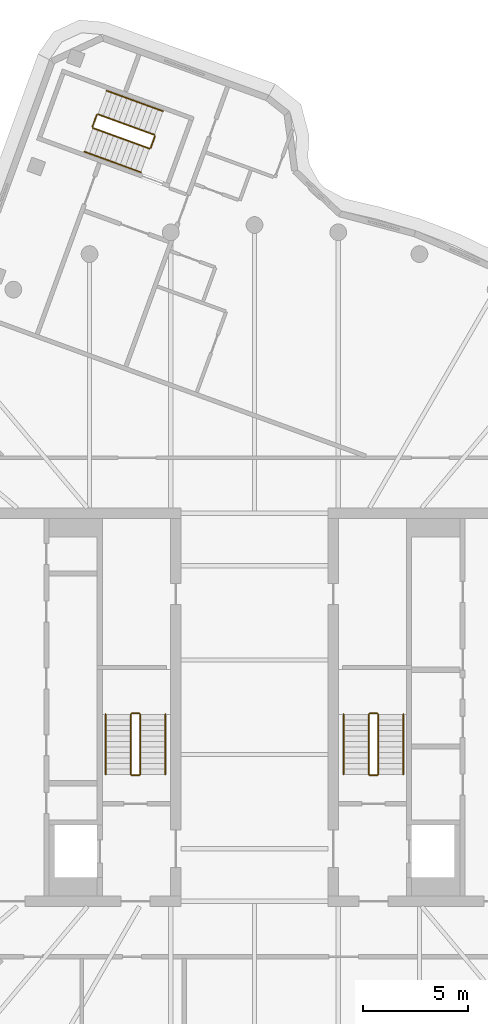
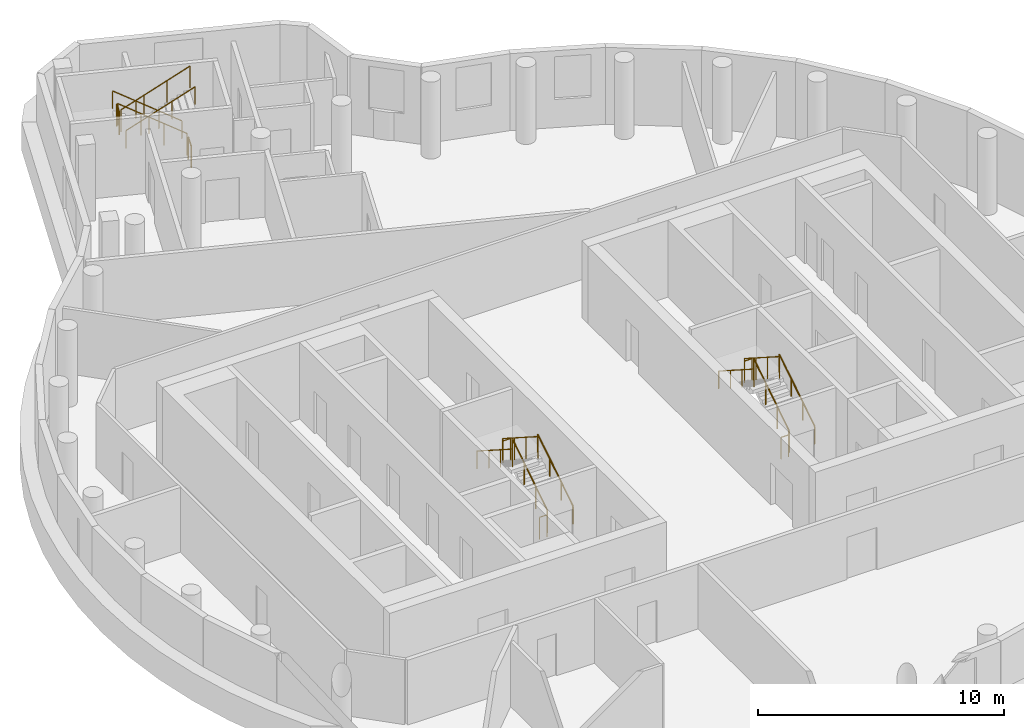
# One storey, part 7 of 7: 18 railings.
"""IFC4 building model written with IfcOpenShell, lengths in metres."""

from ifc_helpers import new_model, si_unit, direction, frame, origin, origin_2d, place, context, subcontext, project, spatial, circle, extrude, material, type_object, element, save


model = new_model("IFC4")

# Units and contexts
model_context = context("Model", 3, precision=1e-05, world=origin(), true_north=direction((0.0, 1.0)))
body_context = subcontext(model_context, "Body", "Model", "MODEL_VIEW")
ifc_project = project(units=[si_unit("LENGTHUNIT", "METRE"), si_unit("AREAUNIT", "SQUARE_METRE"), si_unit("VOLUMEUNIT", "CUBIC_METRE"), si_unit("PLANEANGLEUNIT", "RADIAN"), si_unit("MASSUNIT", "GRAM", prefix="KILO")], contexts=[model_context])

# Site, building, storey
site_placement = place(None, origin())
site = spatial("IfcSite", under=ifc_project, at=site_placement, CompositionType="ELEMENT")
building_placement = place(site_placement, origin())
building = spatial("IfcBuilding", under=site, at=building_placement, Name="Tamarind Cross Interchange Tower", CompositionType="ELEMENT")
storey_placement = place(building_placement, frame((0.0, 0.0, 321.39990234375)))
storey = spatial("IfcBuildingStorey", under=building, at=storey_placement, Name="L79", CompositionType="ELEMENT", Elevation=321.39990234375)

# Railings
ifc_material_1 = material(Name="Stair guard")
railing_type_1 = type_object("IfcRailingType", Name="Stair guard", PredefinedType="GUARDRAIL", material=ifc_material_1)
railing_1_placement = place(storey_placement, frame((-5.449951171875, -3.199951171875, 0.166748046875)))
element("IfcRailing", 1, at=railing_1_placement, inside=storey, type_object=railing_type_1, Name="L79 ST1 stair guard 1", PredefinedType="GUARDRAIL", context=body_context, shape_type="SweptSolid", body=[
    extrude(circle(Radius=0.02392578125, at=origin_2d()), frame((0.0, 0.0, 1.076171875), z_axis=(0.0, 0.841878301714, 0.539667420827), x_axis=(-1.0, 0.0, 0.0)), (0.0, 0.0, 1.0), 3.39697265625),
    extrude(circle(Radius=0.02099609375, at=origin_2d()), origin(), (0.0, 0.0, 1.0), 1.052001953125),
    extrude(circle(Radius=0.02099609375, at=origin_2d()), frame((0.0, 0.953369140625, 0.611083984375)), (0.0, 0.0, 1.0), 1.052001953125),
    extrude(circle(Radius=0.02099609375, at=origin_2d()), frame((0.0, 1.906494140625, 1.22216796875)), (0.0, 0.0, 1.0), 1.052001953125),
    extrude(circle(Radius=0.02099609375, at=origin_2d()), frame((0.0, 2.85986328125, 1.833251953125)), (0.0, 0.0, 1.0), 1.052001953125),
])
railing_2_placement = place(storey_placement, frame((-5.5, -0.2900390625, 2.0)))
element("IfcRailing", 2, at=railing_2_placement, inside=storey, type_object=railing_type_1, Name="L79 ST1 stair guard 2", PredefinedType="GUARDRAIL", context=body_context, shape_type="SweptSolid", body=[
    extrude(circle(Radius=0.02392578125, at=origin_2d()), frame((0.0, 0.0, 1.076171875), z_axis=(-1.0, 0.0, 0.0), x_axis=(0.0, -1.0, 0.0)), (0.0, 0.0, 1.0), 0.35009765625),
    extrude(circle(Radius=0.02099609375, at=origin_2d()), origin(), (0.0, 0.0, 1.0), 1.052001953125),
    extrude(circle(Radius=0.02099609375, at=origin_2d()), frame((-0.35009765625, 0.0, 0.0)), (0.0, 0.0, 1.0), 1.052001953125),
])
railing_3_placement = place(storey_placement, frame((-5.89990234375, -0.340087890625, 2.166748046875)))
element("IfcRailing", 3, at=railing_3_placement, inside=storey, type_object=railing_type_1, Name="L79 ST1 stair guard 3", PredefinedType="GUARDRAIL", context=body_context, shape_type="SweptSolid", body=[
    extrude(circle(Radius=0.02392578125, at=origin_2d()), frame((0.0, 0.0, 1.076171875), z_axis=(0.0, -0.841878301714, 0.539667420827), x_axis=(1.0, 0.0, 0.0)), (0.0, 0.0, 1.0), 3.39697265625),
    extrude(circle(Radius=0.02099609375, at=origin_2d()), origin(), (0.0, 0.0, 1.0), 1.052001953125),
    extrude(circle(Radius=0.02099609375, at=origin_2d()), frame((0.0, -0.953369140625, 0.611083984375)), (0.0, 0.0, 1.0), 1.052001953125),
    extrude(circle(Radius=0.02099609375, at=origin_2d()), frame((0.0, -1.906494140625, 1.22216796875)), (0.0, 0.0, 1.0), 1.052001953125),
    extrude(circle(Radius=0.02099609375, at=origin_2d()), frame((0.0, -2.85986328125, 1.833251953125)), (0.0, 0.0, 1.0), 1.052001953125),
])
railing_4_placement = place(storey_placement, frame((-5.5, -3.25, 0.0)))
element("IfcRailing", 4, at=railing_4_placement, inside=storey, type_object=railing_type_1, Name="L79 ST1 stair guard 4", PredefinedType="GUARDRAIL", context=body_context, shape_type="SweptSolid", body=[
    extrude(circle(Radius=0.02392578125, at=origin_2d()), frame((0.0, 0.0, 1.076171875), z_axis=(-1.0, 0.0, 0.0), x_axis=(0.0, -1.0, 0.0)), (0.0, 0.0, 1.0), 0.35009765625),
    extrude(circle(Radius=0.02099609375, at=origin_2d()), origin(), (0.0, 0.0, 1.0), 1.052001953125),
    extrude(circle(Radius=0.02099609375, at=origin_2d()), frame((-0.35009765625, 0.0, 0.0)), (0.0, 0.0, 1.0), 1.052001953125),
])
railing_5_placement = place(storey_placement, frame((5.89990234375, -3.199951171875, 0.166748046875)))
element("IfcRailing", 5, at=railing_5_placement, inside=storey, type_object=railing_type_1, Name="L79 ST2 stair guard 1", PredefinedType="GUARDRAIL", context=body_context, shape_type="SweptSolid", body=[
    extrude(circle(Radius=0.02392578125, at=origin_2d()), frame((0.0, 0.0, 1.076171875), z_axis=(0.0, 0.841878301714, 0.539667420827), x_axis=(-1.0, 0.0, 0.0)), (0.0, 0.0, 1.0), 3.39697265625),
    extrude(circle(Radius=0.02099609375, at=origin_2d()), origin(), (0.0, 0.0, 1.0), 1.052001953125),
    extrude(circle(Radius=0.02099609375, at=origin_2d()), frame((0.0, 0.953369140625, 0.611083984375)), (0.0, 0.0, 1.0), 1.052001953125),
    extrude(circle(Radius=0.02099609375, at=origin_2d()), frame((0.0, 1.906494140625, 1.22216796875)), (0.0, 0.0, 1.0), 1.052001953125),
    extrude(circle(Radius=0.02099609375, at=origin_2d()), frame((0.0, 2.85986328125, 1.833251953125)), (0.0, 0.0, 1.0), 1.052001953125),
])
railing_6_placement = place(storey_placement, frame((5.85009765625, -0.2900390625, 2.0)))
element("IfcRailing", 6, at=railing_6_placement, inside=storey, type_object=railing_type_1, Name="L79 ST2 stair guard 2", PredefinedType="GUARDRAIL", context=body_context, shape_type="SweptSolid", body=[
    extrude(circle(Radius=0.02392578125, at=origin_2d()), frame((0.0, 0.0, 1.076171875), z_axis=(-1.0, 0.0, 0.0), x_axis=(0.0, -1.0, 0.0)), (0.0, 0.0, 1.0), 0.35009765625),
    extrude(circle(Radius=0.02099609375, at=origin_2d()), origin(), (0.0, 0.0, 1.0), 1.052001953125),
    extrude(circle(Radius=0.02099609375, at=origin_2d()), frame((-0.35009765625, 0.0, 0.0)), (0.0, 0.0, 1.0), 1.052001953125),
])
railing_7_placement = place(storey_placement, frame((5.449951171875, -0.340087890625, 2.166748046875)))
element("IfcRailing", 7, at=railing_7_placement, inside=storey, type_object=railing_type_1, Name="L79 ST2 stair guard 3", PredefinedType="GUARDRAIL", context=body_context, shape_type="SweptSolid", body=[
    extrude(circle(Radius=0.02392578125, at=origin_2d()), frame((0.0, 0.0, 1.076171875), z_axis=(0.0, -0.841878301714, 0.539667420827), x_axis=(1.0, 0.0, 0.0)), (0.0, 0.0, 1.0), 3.39697265625),
    extrude(circle(Radius=0.02099609375, at=origin_2d()), origin(), (0.0, 0.0, 1.0), 1.052001953125),
    extrude(circle(Radius=0.02099609375, at=origin_2d()), frame((0.0, -0.953369140625, 0.611083984375)), (0.0, 0.0, 1.0), 1.052001953125),
    extrude(circle(Radius=0.02099609375, at=origin_2d()), frame((0.0, -1.906494140625, 1.22216796875)), (0.0, 0.0, 1.0), 1.052001953125),
    extrude(circle(Radius=0.02099609375, at=origin_2d()), frame((0.0, -2.85986328125, 1.833251953125)), (0.0, 0.0, 1.0), 1.052001953125),
])
railing_8_placement = place(storey_placement, frame((5.85009765625, -3.25, 0.0)))
element("IfcRailing", 8, at=railing_8_placement, inside=storey, type_object=railing_type_1, Name="L79 ST2 stair guard 4", PredefinedType="GUARDRAIL", context=body_context, shape_type="SweptSolid", body=[
    extrude(circle(Radius=0.02392578125, at=origin_2d()), frame((0.0, 0.0, 1.076171875), z_axis=(-1.0, 0.0, 0.0), x_axis=(0.0, -1.0, 0.0)), (0.0, 0.0, 1.0), 0.35009765625),
    extrude(circle(Radius=0.02099609375, at=origin_2d()), origin(), (0.0, 0.0, 1.0), 1.052001953125),
    extrude(circle(Radius=0.02099609375, at=origin_2d()), frame((-0.35009765625, 0.0, 0.0)), (0.0, 0.0, 1.0), 1.052001953125),
])
railing_9_placement = place(storey_placement, frame((-4.7744140625, 27.302490234375, 0.166748046875)))
element("IfcRailing", 9, at=railing_9_placement, inside=storey, type_object=railing_type_1, Name="L79 ST4 stair guard 1", PredefinedType="GUARDRAIL", context=body_context, shape_type="SweptSolid", body=[
    extrude(circle(Radius=0.02392578125, at=origin_2d()), frame((0.0, 0.0, 1.076171875), z_axis=(-0.791109245406, 0.287970089602, 0.539647467638), x_axis=(-0.342051474784, -0.939681216476, 0.0)), (0.0, 0.0, 1.0), 3.397216796875),
    extrude(circle(Radius=0.02099609375, at=origin_2d()), origin(), (0.0, 0.0, 1.0), 1.052001953125),
    extrude(circle(Radius=0.02099609375, at=origin_2d()), frame((-0.895751953125, 0.326171875, 0.611083984375)), (0.0, 0.0, 1.0), 1.052001953125),
    extrude(circle(Radius=0.02099609375, at=origin_2d()), frame((-1.791748046875, 0.652099609375, 1.22216796875)), (0.0, 0.0, 1.0), 1.052001953125),
    extrude(circle(Radius=0.02099609375, at=origin_2d()), frame((-2.6875, 0.978271484375, 1.833251953125)), (0.0, 0.0, 1.0), 1.052001953125),
])
railing_10_placement = place(storey_placement, frame((-7.526123046875, 28.250732421875, 2.0)))
element("IfcRailing", 10, at=railing_10_placement, inside=storey, type_object=railing_type_1, Name="L79 ST4 stair guard 2", PredefinedType="GUARDRAIL", context=body_context, shape_type="SweptSolid", body=[
    extrude(circle(Radius=0.02392578125, at=origin_2d()), frame((0.0, 0.0, 1.076171875), z_axis=(-0.341873772729, -0.939745882417, 0.0), x_axis=(0.939745882417, -0.341873772729, 0.0)), (0.0, 0.0, 1.0), 0.599853515625),
    extrude(circle(Radius=0.02099609375, at=origin_2d()), origin(), (0.0, 0.0, 1.0), 1.052001953125),
    extrude(circle(Radius=0.02099609375, at=origin_2d()), frame((-0.205078125, -0.563720703125, 0.0)), (0.0, 0.0, 1.0), 1.052001953125),
])
railing_11_placement = place(storey_placement, frame((-7.701416015625, 27.622802734375, 2.166748046875)))
element("IfcRailing", 11, at=railing_11_placement, inside=storey, type_object=railing_type_1, Name="L79 ST4 stair guard 3", PredefinedType="GUARDRAIL", context=body_context, shape_type="SweptSolid", body=[
    extrude(circle(Radius=0.02392578125, at=origin_2d()), frame((0.0, 0.0, 1.076171875), z_axis=(0.791125616254, -0.287904180479, 0.539658634852), x_axis=(0.34197609546, 0.939708651729, 0.0)), (0.0, 0.0, 1.0), 3.39697265625),
    extrude(circle(Radius=0.02099609375, at=origin_2d()), origin(), (0.0, 0.0, 1.0), 1.052001953125),
    extrude(circle(Radius=0.02099609375, at=origin_2d()), frame((0.895751953125, -0.325927734375, 0.611083984375)), (0.0, 0.0, 1.0), 1.052001953125),
    extrude(circle(Radius=0.02099609375, at=origin_2d()), frame((1.791748046875, -0.652099609375, 1.22216796875)), (0.0, 0.0, 1.0), 1.052001953125),
    extrude(circle(Radius=0.02099609375, at=origin_2d()), frame((2.6875, -0.97802734375, 1.833251953125)), (0.0, 0.0, 1.0), 1.052001953125),
])
railing_12_placement = place(storey_placement, frame((-4.74462890625, 27.238525390625, 0.0)))
element("IfcRailing", 12, at=railing_12_placement, inside=storey, type_object=railing_type_1, Name="L79 ST4 stair guard 4", PredefinedType="GUARDRAIL", context=body_context, shape_type="SweptSolid", body=[
    extrude(circle(Radius=0.02392578125, at=origin_2d()), frame((0.0, 0.0, 1.076171875), z_axis=(-0.341743063087, -0.939793423488, 0.0), x_axis=(0.939793423488, -0.341743063087, 0.0)), (0.0, 0.0, 1.0), 0.60009765625),
    extrude(circle(Radius=0.02099609375, at=origin_2d()), origin(), (0.0, 0.0, 1.0), 1.052001953125),
    extrude(circle(Radius=0.02099609375, at=origin_2d()), frame((-0.205078125, -0.56396484375, 0.0)), (0.0, 0.0, 1.0), 1.052001953125),
])
ifc_material_2 = material(Name="Stair handrail")
railing_type_2 = type_object("IfcRailingType", Name="Stair handrail", PredefinedType="HANDRAIL", material=ifc_material_2)
railing_13_placement = place(storey_placement, frame((-4.25, -3.199951171875, 0.166748046875)))
element("IfcRailing", 13, at=railing_13_placement, inside=storey, type_object=railing_type_2, Name="L79 ST1 stair handrail 1", PredefinedType="HANDRAIL", context=body_context, shape_type="SweptSolid", body=[
    extrude(circle(Radius=0.02392578125, at=origin_2d()), frame((0.0, 0.0, 0.8759765625), z_axis=(0.0, 0.841878301714, 0.539667420827), x_axis=(-1.0, 0.0, 0.0)), (0.0, 0.0, 1.0), 3.39697265625),
    extrude(circle(Radius=0.02099609375, at=origin_2d()), origin(), (0.0, 0.0, 1.0), 0.851806640625),
    extrude(circle(Radius=0.02099609375, at=origin_2d()), frame((0.0, 0.953369140625, 0.611083984375)), (0.0, 0.0, 1.0), 0.851806640625),
    extrude(circle(Radius=0.02099609375, at=origin_2d()), frame((0.0, 1.906494140625, 1.22216796875)), (0.0, 0.0, 1.0), 0.851806640625),
    extrude(circle(Radius=0.02099609375, at=origin_2d()), frame((0.0, 2.85986328125, 1.833251953125)), (0.0, 0.0, 1.0), 0.851806640625),
])
railing_14_placement = place(storey_placement, frame((-7.10009765625, -0.340087890625, 2.166748046875)))
element("IfcRailing", 14, at=railing_14_placement, inside=storey, type_object=railing_type_2, Name="L79 ST1 stair handrail 2", PredefinedType="HANDRAIL", context=body_context, shape_type="SweptSolid", body=[
    extrude(circle(Radius=0.02392578125, at=origin_2d()), frame((0.0, 0.0, 0.8759765625), z_axis=(0.0, -0.841878301714, 0.539667420827), x_axis=(1.0, 0.0, 0.0)), (0.0, 0.0, 1.0), 3.39697265625),
    extrude(circle(Radius=0.02099609375, at=origin_2d()), origin(), (0.0, 0.0, 1.0), 0.851806640625),
    extrude(circle(Radius=0.02099609375, at=origin_2d()), frame((0.0, -0.953369140625, 0.611083984375)), (0.0, 0.0, 1.0), 0.851806640625),
    extrude(circle(Radius=0.02099609375, at=origin_2d()), frame((0.0, -1.906494140625, 1.22216796875)), (0.0, 0.0, 1.0), 0.851806640625),
    extrude(circle(Radius=0.02099609375, at=origin_2d()), frame((0.0, -2.85986328125, 1.833251953125)), (0.0, 0.0, 1.0), 0.851806640625),
])
railing_15_placement = place(storey_placement, frame((7.10009765625, -3.199951171875, 0.166748046875)))
element("IfcRailing", 15, at=railing_15_placement, inside=storey, type_object=railing_type_2, Name="L79 ST2 stair handrail 1", PredefinedType="HANDRAIL", context=body_context, shape_type="SweptSolid", body=[
    extrude(circle(Radius=0.02392578125, at=origin_2d()), frame((0.0, 0.0, 0.8759765625), z_axis=(0.0, 0.841878301714, 0.539667420827), x_axis=(-1.0, 0.0, 0.0)), (0.0, 0.0, 1.0), 3.39697265625),
    extrude(circle(Radius=0.02099609375, at=origin_2d()), origin(), (0.0, 0.0, 1.0), 0.851806640625),
    extrude(circle(Radius=0.02099609375, at=origin_2d()), frame((0.0, 0.953369140625, 0.611083984375)), (0.0, 0.0, 1.0), 0.851806640625),
    extrude(circle(Radius=0.02099609375, at=origin_2d()), frame((0.0, 1.906494140625, 1.22216796875)), (0.0, 0.0, 1.0), 0.851806640625),
    extrude(circle(Radius=0.02099609375, at=origin_2d()), frame((0.0, 2.85986328125, 1.833251953125)), (0.0, 0.0, 1.0), 0.851806640625),
])
railing_16_placement = place(storey_placement, frame((4.25, -0.340087890625, 2.166748046875)))
element("IfcRailing", 16, at=railing_16_placement, inside=storey, type_object=railing_type_2, Name="L79 ST2 stair handrail 2", PredefinedType="HANDRAIL", context=body_context, shape_type="SweptSolid", body=[
    extrude(circle(Radius=0.02392578125, at=origin_2d()), frame((0.0, 0.0, 0.8759765625), z_axis=(0.0, -0.841878301714, 0.539667420827), x_axis=(1.0, 0.0, 0.0)), (0.0, 0.0, 1.0), 3.39697265625),
    extrude(circle(Radius=0.02099609375, at=origin_2d()), origin(), (0.0, 0.0, 1.0), 0.851806640625),
    extrude(circle(Radius=0.02099609375, at=origin_2d()), frame((0.0, -0.953369140625, 0.611083984375)), (0.0, 0.0, 1.0), 0.851806640625),
    extrude(circle(Radius=0.02099609375, at=origin_2d()), frame((0.0, -1.906494140625, 1.22216796875)), (0.0, 0.0, 1.0), 0.851806640625),
    extrude(circle(Radius=0.02099609375, at=origin_2d()), frame((0.0, -2.85986328125, 1.833251953125)), (0.0, 0.0, 1.0), 0.851806640625),
])
railing_17_placement = place(storey_placement, frame((-4.364013671875, 28.43017578125, 0.166748046875)))
element("IfcRailing", 17, at=railing_17_placement, inside=storey, type_object=railing_type_2, Name="L79 ST4 stair handrail 1", PredefinedType="HANDRAIL", context=body_context, shape_type="SweptSolid", body=[
    extrude(circle(Radius=0.02392578125, at=origin_2d()), frame((0.0, 0.0, 0.8759765625), z_axis=(-0.791125616254, 0.287904180479, 0.539658634852), x_axis=(-0.34197609546, -0.939708651729, 0.0)), (0.0, 0.0, 1.0), 3.39697265625),
    extrude(circle(Radius=0.02099609375, at=origin_2d()), origin(), (0.0, 0.0, 1.0), 0.851806640625),
    extrude(circle(Radius=0.02099609375, at=origin_2d()), frame((-0.895751953125, 0.325927734375, 0.611083984375)), (0.0, 0.0, 1.0), 0.851806640625),
    extrude(circle(Radius=0.02099609375, at=origin_2d()), frame((-1.791748046875, 0.652099609375, 1.22216796875)), (0.0, 0.0, 1.0), 0.851806640625),
    extrude(circle(Radius=0.02099609375, at=origin_2d()), frame((-2.6875, 0.97802734375, 1.833251953125)), (0.0, 0.0, 1.0), 0.851806640625),
])
railing_18_placement = place(storey_placement, frame((-8.11181640625, 26.4951171875, 2.166748046875)))
element("IfcRailing", 18, at=railing_18_placement, inside=storey, type_object=railing_type_2, Name="L79 ST4 stair handrail 2", PredefinedType="HANDRAIL", context=body_context, shape_type="SweptSolid", body=[
    extrude(circle(Radius=0.02392578125, at=origin_2d()), frame((0.0, 0.0, 0.8759765625), z_axis=(0.791125616254, -0.287904180479, 0.539658634852), x_axis=(0.34197609546, 0.939708651729, 0.0)), (0.0, 0.0, 1.0), 3.39697265625),
    extrude(circle(Radius=0.02099609375, at=origin_2d()), origin(), (0.0, 0.0, 1.0), 0.851806640625),
    extrude(circle(Radius=0.02099609375, at=origin_2d()), frame((0.895751953125, -0.325927734375, 0.611083984375)), (0.0, 0.0, 1.0), 0.851806640625),
    extrude(circle(Radius=0.02099609375, at=origin_2d()), frame((1.791748046875, -0.652099609375, 1.22216796875)), (0.0, 0.0, 1.0), 0.851806640625),
    extrude(circle(Radius=0.02099609375, at=origin_2d()), frame((2.6875, -0.97802734375, 1.833251953125)), (0.0, 0.0, 1.0), 0.851806640625),
])

save(model, "model.ifc")
